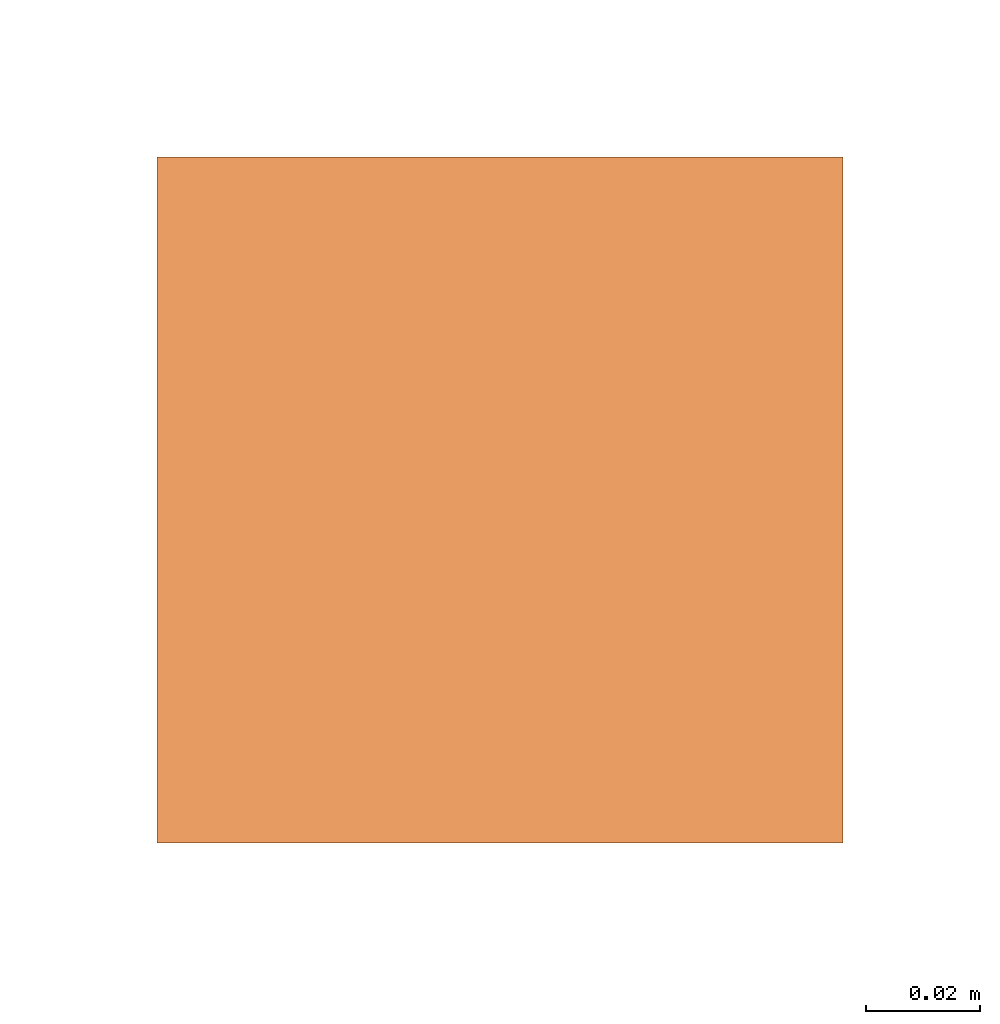
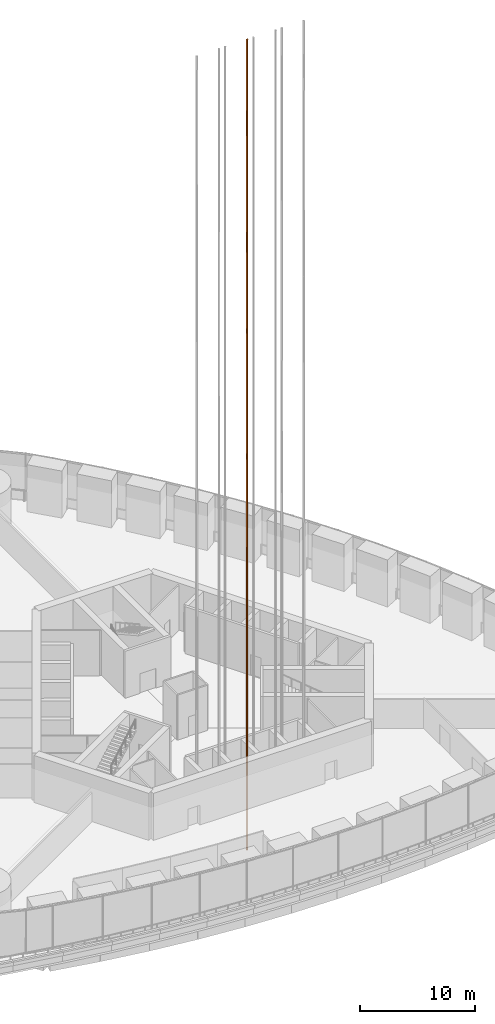
# One storey, part 29 of 33: 1 proxy.
"""IFC4 building model written with IfcOpenShell, lengths in metres."""

from ifc_helpers import new_model, si_unit, direction, frame, origin, origin_2d, place, context, subcontext, project, spatial, rectangle, extrude, element, save


model = new_model("IFC4")

# Units and contexts
model_context = context("Model", 3, precision=1e-05, world=origin(), true_north=direction((0.0, 1.0)))
body_context = subcontext(model_context, "Body", "Model", "MODEL_VIEW")
ifc_project = project(units=[si_unit("LENGTHUNIT", "METRE"), si_unit("AREAUNIT", "SQUARE_METRE"), si_unit("VOLUMEUNIT", "CUBIC_METRE"), si_unit("PLANEANGLEUNIT", "RADIAN"), si_unit("MASSUNIT", "GRAM", prefix="KILO")], contexts=[model_context])

# Site, building, storey
site_placement = place(None, origin())
site = spatial("IfcSite", under=ifc_project, at=site_placement, CompositionType="ELEMENT")
building_placement = place(site_placement, origin())
building = spatial("IfcBuilding", under=site, at=building_placement, Name="Trefoil Bronze Tower", CompositionType="ELEMENT")
storey_placement = place(building_placement, frame((0.0, 0.0, 98.10009765625)))
storey = spatial("IfcBuildingStorey", under=building, at=storey_placement, Name="L22", CompositionType="ELEMENT", Elevation=98.10009765625)

# Proxy
proxy_placement = place(storey_placement, frame((-0.31494140625, -11.3125, -6.0), z_axis=(0.0, 0.0, 1.0), x_axis=(1.0, 0.0, 0.0)))
element("IfcBuildingElementProxy", 1, at=proxy_placement, inside=storey, Name="Lift P22 guide rail 2", ObjectType="LIFT GUIDE RAIL", PredefinedType="USERDEFINED", context=body_context, shape_type="SweptSolid", body=[
    extrude(rectangle(XDim=0.1201171875, YDim=0.1201171875, at=origin_2d()), origin(), (0.0, 0.0, 1.0), 86.25),
])

save(model, "model.ifc")
